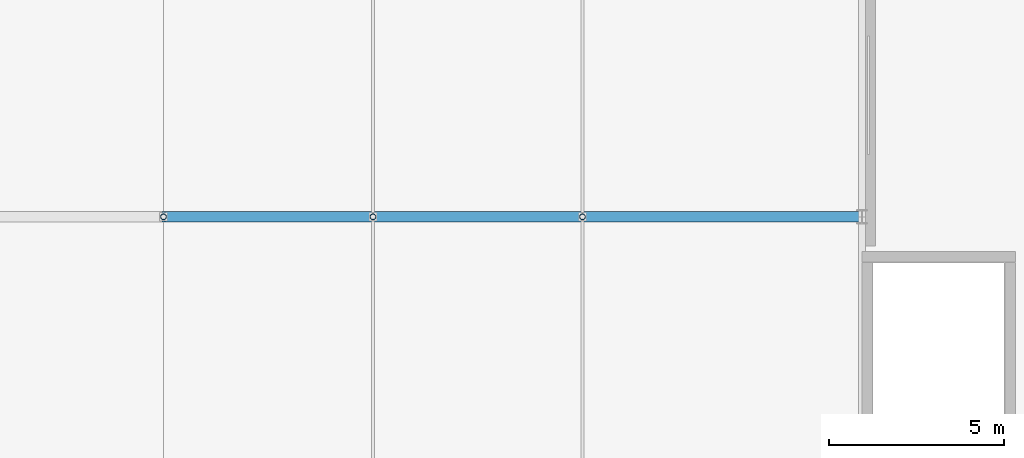
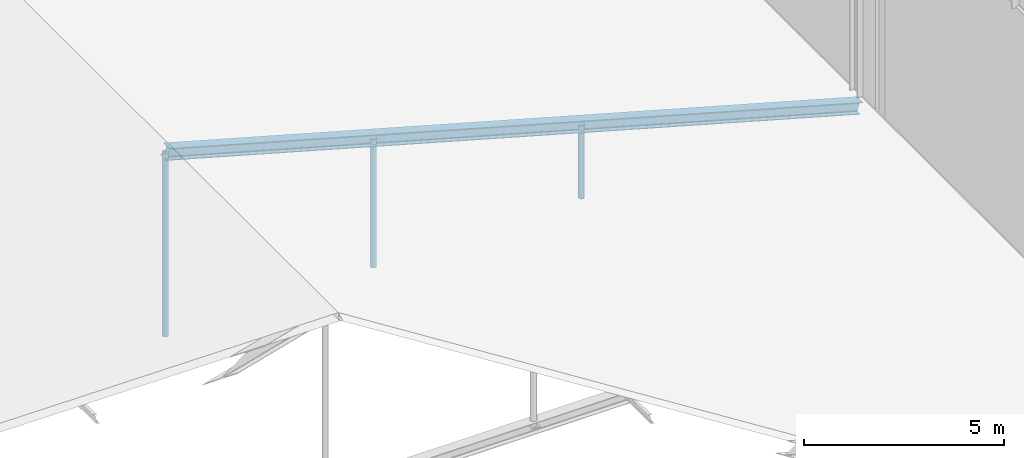
# One storey, part 20 of 49: 4 members.
"""IFC4 building model written with IfcOpenShell, lengths in metres."""

from ifc_helpers import new_model, si_unit, direction, frame, origin, origin_2d, place, context, subcontext, project, spatial, hollow_circle, i_section, extrude, material, material_profile, profile_set, type_object, element, save


model = new_model("IFC4")

# Units and contexts
model_context = context("Model", 3, precision=1e-05, world=origin(), true_north=direction((0.0, 1.0)))
body_context = subcontext(model_context, "Body", "Model", "MODEL_VIEW")
ifc_project = project(units=[si_unit("LENGTHUNIT", "METRE"), si_unit("AREAUNIT", "SQUARE_METRE"), si_unit("VOLUMEUNIT", "CUBIC_METRE"), si_unit("PLANEANGLEUNIT", "RADIAN"), si_unit("MASSUNIT", "GRAM", prefix="KILO")], contexts=[model_context])

# Site, building, storey
site_placement = place(None, origin())
site = spatial("IfcSite", under=ifc_project, at=site_placement, CompositionType="ELEMENT")
building_placement = place(site_placement, origin())
building = spatial("IfcBuilding", under=site, at=building_placement, Name="Sundkrona Museum", CompositionType="ELEMENT")
storey_placement = place(building_placement, frame((0.0, 0.0, 26.0)))
storey = spatial("IfcBuildingStorey", under=building, at=storey_placement, Name="L05", CompositionType="ELEMENT", Elevation=26.0)

# Members
ifc_material = material(Name="Steel S355J2", Category="steel")
ifc_material_profile_1 = material_profile(ifc_material, hollow_circle(Radius=0.084228515625, WallThickness=0.008056640625, at=origin_2d()), Name="CHS 168.3x8.0")
ifc_profile_set_1 = profile_set([ifc_material_profile_1], Name="Steel S355J2")
member_type_1 = type_object("IfcMemberType", Name="ST-CHS168", PredefinedType="STRUT", material=ifc_profile_set_1)
member_1_placement = place(storey_placement, frame((100.0, 16.0, -0.39990234375), z_axis=(0.0, 0.0, 1.0), x_axis=(1.0, 0.0, 0.0)))
element("IfcMember", 1, at=member_1_placement, inside=storey, type_object=member_type_1, Name="RFS-1 Atrium Truss 3 Web Strut 100", PredefinedType="STRUT", context=body_context, shape_type="SweptSolid", body=[
    extrude(hollow_circle(Radius=0.084228515625, WallThickness=0.008056640625, at=origin_2d()), origin(), (0.0, 0.0, 1.0), 5.593994140625),
])
member_2_placement = place(storey_placement, frame((106.0, 16.0, -0.39990234375), z_axis=(0.0, 0.0, 1.0), x_axis=(1.0, 0.0, 0.0)))
element("IfcMember", 2, at=member_2_placement, inside=storey, type_object=member_type_1, Name="RFS-1 Atrium Truss 3 Web Strut 106", PredefinedType="STRUT", context=body_context, shape_type="SweptSolid", body=[
    extrude(hollow_circle(Radius=0.084228515625, WallThickness=0.008056640625, at=origin_2d()), origin(), (0.0, 0.0, 1.0), 3.915771484375),
])
member_3_placement = place(storey_placement, frame((112.0, 16.0, -0.39990234375), z_axis=(0.0, 0.0, 1.0), x_axis=(1.0, 0.0, 0.0)))
element("IfcMember", 3, at=member_3_placement, inside=storey, type_object=member_type_1, Name="RFS-1 Atrium Truss 3 Web Strut 112", PredefinedType="STRUT", context=body_context, shape_type="SweptSolid", body=[
    extrude(hollow_circle(Radius=0.084228515625, WallThickness=0.008056640625, at=origin_2d()), origin(), (0.0, 0.0, 1.0), 2.237548828125),
])
ifc_material_profile_2 = material_profile(ifc_material, i_section(OverallWidth=0.300048828125, OverallDepth=0.35009765625, WebThickness=0.010009765625, FlangeThickness=0.017578125, FilletRadius=0.027099609375, at=origin_2d()), Name="HEA 360")
ifc_profile_set_2 = profile_set([ifc_material_profile_2], Name="Steel S355J2")
member_type_2 = type_object("IfcMemberType", Name="TC-HEA360", PredefinedType="CHORD", material=ifc_profile_set_2)
member_4_placement = place(storey_placement, frame((100.0, 16.0, 5.194091796875), z_axis=(0.963039069801, 0.0, -0.269361745683), x_axis=(0.0, 1.0, 0.0)))
element("IfcMember", 4, at=member_4_placement, inside=storey, type_object=member_type_2, Name="RFS-1 Atrium Truss 3 East Rafter Chord", PredefinedType="CHORD", context=body_context, shape_type="SweptSolid", body=[
    extrude(i_section(OverallWidth=0.300048828125, OverallDepth=0.35009765625, WebThickness=0.010009765625, FlangeThickness=0.017578125, FilletRadius=0.027099609375, at=origin_2d()), origin(), (0.0, 0.0, 1.0), 20.767578125),
])

save(model, "model.ifc")
